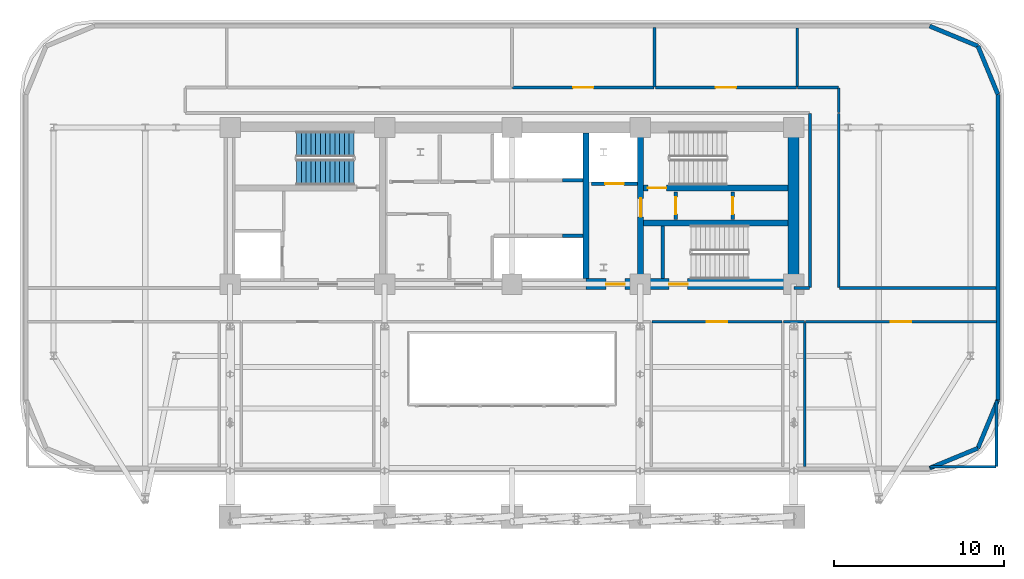
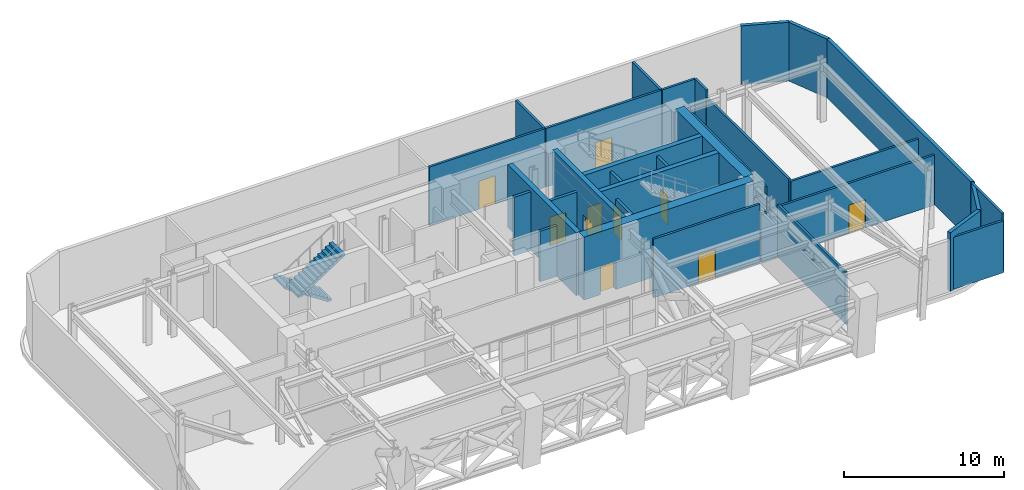
# One storey, part 9 of 13: 33 walls, 11 doors, 2 stair flights, 11 openings, 1 element without a shape of its own.
"""IFC4 building model written with IfcOpenShell, lengths in metres."""

from ifc_helpers import new_model, si_unit, direction, frame, frame_2d, origin, place, context, subcontext, project, spatial, polyline, rectangle, outline, extrude, material, layer, layer_set, type_object, element, fill, aggregate, save


model = new_model("IFC4")

# Units and contexts
model_context = context("Model", 3, precision=1e-05, world=origin(), true_north=direction((0.0, 1.0)))
body_context = subcontext(model_context, "Body", "Model", "MODEL_VIEW")
ifc_project = project(units=[si_unit("LENGTHUNIT", "METRE"), si_unit("AREAUNIT", "SQUARE_METRE"), si_unit("VOLUMEUNIT", "CUBIC_METRE"), si_unit("PLANEANGLEUNIT", "RADIAN"), si_unit("MASSUNIT", "GRAM", prefix="KILO")], contexts=[model_context])

# Site, building, storey
site_placement = place(None, origin())
site = spatial("IfcSite", under=ifc_project, at=site_placement, CompositionType="ELEMENT")
building_placement = place(site_placement, origin())
building = spatial("IfcBuilding", under=site, at=building_placement, Name="Zarnavel Station Tower", CompositionType="ELEMENT")
storey_placement = place(building_placement, frame((0.0, 0.0, 132.89990234375)))
storey = spatial("IfcBuildingStorey", under=building, at=storey_placement, Name="L36", CompositionType="ELEMENT", Elevation=132.89990234375)

# Wall
ifc_material_1 = material(Name="Concrete C50/60", Category="concrete")
ifc_layer_1 = layer(ifc_material_1, 0.35009765625)
ifc_layer_set_1 = layer_set([ifc_layer_1], Name="CW_350")
wall_type_1 = type_object("IfcWallType", Name="CW_350", PredefinedType="SHEAR", material=ifc_layer_set_1)
wall_1_placement = place(storey_placement, frame((33.14990234375, 28.14501953125, 0.0), z_axis=(0.0, 0.0, 1.0), x_axis=(0.0, 1.0, 0.0)))
element("IfcWall", 1, at=wall_1_placement, inside=storey, type_object=wall_type_1, Name="L36 Rear Core Shear Wall DIV-E", PredefinedType="SHEAR", context=body_context, shape_type="SweptSolid", body=[
    extrude(rectangle(XDim=8.580078125, YDim=0.35009765625, at=frame_2d((4.2900390625, 0.0))), origin(), (0.0, 0.0, 1.0), 4.800048828125),
])

# Wall, opening, door
wall_2_placement = place(storey_placement, frame((36.3798828125, 28.14501953125, 0.0), z_axis=(0.0, 0.0, 1.0), x_axis=(0.0, 1.0, 0.0)))
wall_2 = element("IfcWall", 2, at=wall_2_placement, inside=storey, type_object=wall_type_1, Name="L36 Rear Core Shear Wall DIV-S2", PredefinedType="SHEAR", context=body_context, shape_type="SweptSolid", body=[
    extrude(rectangle(XDim=8.580078125, YDim=0.35009765625, at=frame_2d((4.2900390625, 0.0))), origin(), (0.0, 0.0, 1.0), 4.800048828125),
])
opening_1_placement = place(wall_2_placement, frame((3.635009765625, 0.0, 0.0)))
opening_1 = element("IfcOpeningElement", 3, at=opening_1_placement, cuts=wall_2, Name="Opening FD01", PredefinedType="OPENING", context=body_context, shape_type="SweptSolid", body=[
    extrude(rectangle(XDim=1.10009765625, YDim=2.14990234375, at=frame_2d((0.550048828125, 1.074951171875))), frame((0.0, 0.18505859375, 0.0), z_axis=(0.0, -1.0, 0.0), x_axis=(1.0, 0.0, 0.0)), (0.0, 0.0, 1.0), 0.3701171875),
])
ifc_material_2 = material(Name="Painted Galvanised Steel and Hardwood Leaf", Category="steel")
door_type_1 = type_object("IfcDoorType", Name="ID_STAIR_1100", OperationType="NOTDEFINED", PredefinedType="DOOR", material=ifc_material_2)
door_1_placement = place(opening_1_placement, origin())
door_1 = element("IfcDoor", 4, at=door_1_placement, inside=storey, type_object=door_type_1, Name="L36 East Stair Vestibule Fire Door", OperationType="SINGLE_SWING_LEFT", OverallHeight=2.14990234375, OverallWidth=1.10009765625, PredefinedType="DOOR", context=body_context, shape_type="SweptSolid", body=[
    extrude(rectangle(XDim=1.10009765625, YDim=2.14990234375, at=frame_2d((0.550048828125, 1.074951171875))), frame((0.0, 0.02490234375, 0.0), z_axis=(0.0, -1.0, 0.0), x_axis=(1.0, 0.0, 0.0)), (0.0, 0.0, 1.0), 0.050048828125),
])
fill(opening_1, door_1)

wall_3_placement = place(storey_placement, frame((45.054931640625, 33.47998046875, 0.0), z_axis=(0.0, 0.0, 1.0), x_axis=(-1.0, 0.0, 0.0)))
wall_3 = element("IfcWall", 5, at=wall_3_placement, inside=storey, type_object=wall_type_1, Name="L36 Rear Core Shear Wall DIV-H2", PredefinedType="SHEAR", context=body_context, shape_type="SweptSolid", body=[
    extrude(rectangle(XDim=8.5, YDim=0.35009765625, at=frame_2d((4.25, 0.0))), origin(), (0.0, 0.0, 1.0), 4.800048828125),
])
opening_2_placement = place(wall_3_placement, frame((7.155029296875, 0.0, 0.0)))
opening_2 = element("IfcOpeningElement", 6, at=opening_2_placement, cuts=wall_3, Name="Opening FD01", PredefinedType="OPENING", context=body_context, shape_type="SweptSolid", body=[
    extrude(rectangle(XDim=1.10009765625, YDim=2.14990234375, at=frame_2d((0.550048828125, 1.074951171875))), frame((0.0, 0.18505859375, 0.0), z_axis=(0.0, -1.0, 0.0), x_axis=(1.0, 0.0, 0.0)), (0.0, 0.0, 1.0), 0.3701171875),
])
door_2_placement = place(opening_2_placement, origin())
door_2 = element("IfcDoor", 7, at=door_2_placement, inside=storey, type_object=door_type_1, Name="L36 Stair ST2 Lobby Fire Door", OperationType="SINGLE_SWING_RIGHT", OverallHeight=2.14990234375, OverallWidth=1.10009765625, PredefinedType="DOOR", context=body_context, shape_type="SweptSolid", body=[
    extrude(rectangle(XDim=1.10009765625, YDim=2.14990234375, at=frame_2d((0.550048828125, 1.074951171875))), frame((0.0, 0.02490234375, 0.0), z_axis=(0.0, -1.0, 0.0), x_axis=(1.0, 0.0, 0.0)), (0.0, 0.0, 1.0), 0.050048828125),
])
fill(opening_2, door_2)

# Wall
wall_4_placement = place(storey_placement, frame((36.554931640625, 31.419921875, 0.0), z_axis=(0.0, 0.0, 1.0), x_axis=(1.0, 0.0, 0.0)))
element("IfcWall", 8, at=wall_4_placement, inside=storey, type_object=wall_type_1, Name="L36 Rear Core Shear Wall DIV-H3", PredefinedType="SHEAR", context=body_context, shape_type="SweptSolid", body=[
    extrude(rectangle(XDim=8.5, YDim=0.35009765625, at=frame_2d((4.25, 0.0))), origin(), (0.0, 0.0, 1.0), 4.800048828125),
])

# Wall, openings, doors
ifc_material_3 = material(Name="Concrete C60/75", Category="concrete")
ifc_layer_2 = layer(ifc_material_3, 0.64990234375)
ifc_layer_set_2 = layer_set([ifc_layer_2], Name="CW_650")
wall_type_2 = type_object("IfcWallType", Name="CW_650", PredefinedType="SHEAR", material=ifc_layer_set_2)
wall_5_placement = place(storey_placement, frame((45.3798828125, 27.820068359375, 0.0), z_axis=(0.0, 0.0, 1.0), x_axis=(-1.0, 0.0, 0.0)))
wall_5 = element("IfcWall", 9, at=wall_5_placement, inside=storey, type_object=wall_type_2, Name="L36 Rear Core Shear Wall S-E", PredefinedType="SHEAR", context=body_context, shape_type="SweptSolid", body=[
    extrude(rectangle(XDim=12.22998046875, YDim=0.64990234375, at=frame_2d((6.114990234375, 0.0))), origin(), (0.0, 0.0, 1.0), 4.800048828125),
])
opening_3_placement = place(wall_5_placement, frame((9.929931640625, 0.0, 0.0)))
opening_3 = element("IfcOpeningElement", 10, at=opening_3_placement, cuts=wall_5, Name="Opening FD01", PredefinedType="OPENING", context=body_context, shape_type="SweptSolid", body=[
    extrude(rectangle(XDim=1.10009765625, YDim=2.14990234375, at=frame_2d((0.550048828125, 1.074951171875))), frame((0.0, 0.3349609375, 0.0), z_axis=(0.0, -1.0, 0.0), x_axis=(1.0, 0.0, 0.0)), (0.0, 0.0, 1.0), 0.669921875),
])
opening_4_placement = place(wall_5_placement, frame((6.22998046875, 0.0, 0.0)))
opening_4 = element("IfcOpeningElement", 11, at=opening_4_placement, cuts=wall_5, Name="Opening FD01", PredefinedType="OPENING", context=body_context, shape_type="SweptSolid", body=[
    extrude(rectangle(XDim=1.10009765625, YDim=2.14990234375, at=frame_2d((0.550048828125, 1.074951171875))), frame((0.0, 0.3349609375, 0.0), z_axis=(0.0, -1.0, 0.0), x_axis=(1.0, 0.0, 0.0)), (0.0, 0.0, 1.0), 0.669921875),
])
door_3_placement = place(opening_3_placement, origin())
door_3 = element("IfcDoor", 12, at=door_3_placement, inside=storey, type_object=door_type_1, Name="L36 East Firefighting Lobby Door", OperationType="SINGLE_SWING_LEFT", OverallHeight=2.14990234375, OverallWidth=1.10009765625, PredefinedType="DOOR", context=body_context, shape_type="SweptSolid", body=[
    extrude(rectangle(XDim=1.10009765625, YDim=2.14990234375, at=frame_2d((0.550048828125, 1.074951171875))), frame((0.0, 0.02490234375, 0.0), z_axis=(0.0, -1.0, 0.0), x_axis=(1.0, 0.0, 0.0)), (0.0, 0.0, 1.0), 0.050048828125),
])
fill(opening_3, door_3)
door_4_placement = place(opening_4_placement, origin())
door_4 = element("IfcDoor", 13, at=door_4_placement, inside=storey, type_object=door_type_1, Name="L36 Stair ST3 Corridor Fire Door", OperationType="SINGLE_SWING_RIGHT", OverallHeight=2.14990234375, OverallWidth=1.10009765625, PredefinedType="DOOR", context=body_context, shape_type="SweptSolid", body=[
    extrude(rectangle(XDim=1.10009765625, YDim=2.14990234375, at=frame_2d((0.550048828125, 1.074951171875))), frame((0.0, 0.02490234375, 0.0), z_axis=(0.0, -1.0, 0.0), x_axis=(1.0, 0.0, 0.0)), (0.0, 0.0, 1.0), 0.050048828125),
])
fill(opening_4, door_4)

# Walls
wall_6_placement = place(storey_placement, frame((45.3798828125, 28.14501953125, 0.0), z_axis=(0.0, 0.0, 1.0), x_axis=(0.0, 1.0, 0.0)))
element("IfcWall", 14, at=wall_6_placement, inside=storey, type_object=wall_type_2, Name="L36 Rear Core Shear Wall E", PredefinedType="SHEAR", context=body_context, shape_type="SweptSolid", body=[
    extrude(rectangle(XDim=8.580078125, YDim=0.64990234375, at=frame_2d((4.2900390625, 0.0))), origin(), (0.0, 0.0, 1.0), 4.800048828125),
])
ifc_material_4 = material(Name="Precast concrete C45/55 (Basalt Spandrel)", Category="masonry")
ifc_layer_3 = layer(ifc_material_4, 0.25)
ifc_layer_set_3 = layer_set([ifc_layer_3], Name="EW_SPANDREL_250")
wall_type_3 = type_object("IfcWallType", Name="EW_SPANDREL_250", PredefinedType="SOLIDWALL", material=ifc_layer_set_3)
wall_7_placement = place(storey_placement, frame((56.24267578125, 18.157470703125, 0.0), z_axis=(0.0, 0.0, 1.0), x_axis=(-0.923882414032, -0.382676475685, 0.0)))
element("IfcWall", 15, at=wall_7_placement, inside=storey, type_object=wall_type_3, Name="L36 Exterior Basalt Masonry Frame Wall 01", PredefinedType="SOLIDWALL", context=body_context, shape_type="SweptSolid", body=[
    extrude(rectangle(XDim=3.076904296875, YDim=0.25, at=frame_2d((1.53857421875, 0.0))), origin(), (0.0, 0.0, 1.0), 4.47998046875),
])
wall_8_placement = place(storey_placement, frame((57.419921875, 21.0, 0.0), z_axis=(0.0, 0.0, 1.0), x_axis=(-0.382636798336, -0.92389884758, 0.0)))
element("IfcWall", 16, at=wall_8_placement, inside=storey, type_object=wall_type_3, Name="L36 Exterior Basalt Masonry Frame Wall 02", PredefinedType="SOLIDWALL", context=body_context, shape_type="SweptSolid", body=[
    extrude(rectangle(XDim=3.07666015625, YDim=0.25, at=frame_2d((1.538330078125, 0.0))), origin(), (0.0, 0.0, 1.0), 4.47998046875),
])
wall_9_placement = place(storey_placement, frame((57.419921875, 39.0, 0.0), z_axis=(0.0, 0.0, 1.0), x_axis=(0.0, -1.0, 0.0)))
element("IfcWall", 17, at=wall_9_placement, inside=storey, type_object=wall_type_3, Name="L36 Exterior Basalt Masonry Frame Wall 03", PredefinedType="SOLIDWALL", context=body_context, shape_type="SweptSolid", body=[
    extrude(rectangle(XDim=18.0, YDim=0.25, at=frame_2d((9.0, 0.0))), origin(), (0.0, 0.0, 1.0), 4.47998046875),
])
wall_10_placement = place(storey_placement, frame((56.24267578125, 41.842529296875, 0.0), z_axis=(0.0, 0.0, 1.0), x_axis=(0.382636798336, -0.92389884758, 0.0)))
element("IfcWall", 18, at=wall_10_placement, inside=storey, type_object=wall_type_3, Name="L36 Exterior Basalt Masonry Frame Wall 04", PredefinedType="SOLIDWALL", context=body_context, shape_type="SweptSolid", body=[
    extrude(rectangle(XDim=3.07666015625, YDim=0.25, at=frame_2d((1.538330078125, 0.0))), origin(), (0.0, 0.0, 1.0), 4.47998046875),
])
wall_11_placement = place(storey_placement, frame((53.39990234375, 43.02001953125, 0.0), z_axis=(0.0, 0.0, 1.0), x_axis=(0.923882414032, -0.382676475685, 0.0)))
element("IfcWall", 19, at=wall_11_placement, inside=storey, type_object=wall_type_3, Name="L36 Exterior Basalt Masonry Frame Wall 05", PredefinedType="SOLIDWALL", context=body_context, shape_type="SweptSolid", body=[
    extrude(rectangle(XDim=3.076904296875, YDim=0.25, at=frame_2d((1.53857421875, 0.0))), origin(), (0.0, 0.0, 1.0), 4.47998046875),
])

# Wall, opening, door
ifc_material_5 = material(Name="Gypsum Twin-Stud Acoustic Fire Partition", Category="concrete")
ifc_layer_4 = layer(ifc_material_5, 0.159912109375)
ifc_layer_set_4 = layer_set([ifc_layer_4], Name="PT_DEMISE_160")
wall_type_4 = type_object("IfcWallType", Name="PT_DEMISE_160", PredefinedType="PARTITIONING", material=ifc_layer_set_4)
wall_12_placement = place(storey_placement, frame((37.0400390625, 25.60009765625, 0.0), z_axis=(0.0, 0.0, 1.0), x_axis=(1.0, 0.0, 0.0)))
wall_12 = element("IfcWall", 20, at=wall_12_placement, inside=storey, type_object=wall_type_4, Name="L36 Partition PCOR-AHU2", PredefinedType="PARTITIONING", context=body_context, shape_type="SweptSolid", body=[
    extrude(rectangle(XDim=7.669921875, YDim=0.159912109375, at=frame_2d((3.8349609375, 0.0))), origin(), (0.0, 0.0, 1.0), 4.47998046875),
])
opening_5_placement = place(wall_12_placement, frame((3.235107421875, 0.0, 0.0)))
opening_5 = element("IfcOpeningElement", 21, at=opening_5_placement, cuts=wall_12, Name="Opening FD03", PredefinedType="OPENING", context=body_context, shape_type="SweptSolid", body=[
    extrude(rectangle(XDim=1.199951171875, YDim=2.14990234375, at=frame_2d((0.60009765625, 1.074951171875))), frame((0.0, 0.08984375, 0.0), z_axis=(0.0, -1.0, 0.0), x_axis=(1.0, 0.0, 0.0)), (0.0, 0.0, 1.0), 0.179931640625),
])
ifc_material_6 = material(Name="Painted Galvanised Steel and Hardwood Leaf", Category="steel")
door_type_2 = type_object("IfcDoorType", Name="ID_PLANT_1200", OperationType="NOTDEFINED", PredefinedType="DOOR", material=ifc_material_6)
door_5_placement = place(opening_5_placement, origin())
door_5 = element("IfcDoor", 22, at=door_5_placement, inside=storey, type_object=door_type_2, Name="L36 Door PCOR-AHU2", OperationType="SINGLE_SWING_LEFT", OverallHeight=2.14990234375, OverallWidth=1.199951171875, PredefinedType="DOOR", context=body_context, shape_type="SweptSolid", body=[
    extrude(rectangle(XDim=1.199951171875, YDim=2.14990234375, at=frame_2d((0.60009765625, 1.074951171875))), frame((0.0, 0.02490234375, 0.0), z_axis=(0.0, -1.0, 0.0), x_axis=(1.0, 0.0, 0.0)), (0.0, 0.0, 1.0), 0.050048828125),
])
fill(opening_5, door_5)

wall_13_placement = place(storey_placement, frame((46.090087890625, 25.60009765625, 0.0), z_axis=(0.0, 0.0, 1.0), x_axis=(1.0, 0.0, 0.0)))
wall_13 = element("IfcWall", 23, at=wall_13_placement, inside=storey, type_object=wall_type_4, Name="L36 Partition PCOR-PMP", PredefinedType="PARTITIONING", context=body_context, shape_type="SweptSolid", body=[
    extrude(rectangle(XDim=11.25, YDim=0.159912109375, at=frame_2d((5.625, 0.0))), origin(), (0.0, 0.0, 1.0), 3.81005859375),
])
opening_6_placement = place(wall_13_placement, frame((5.02490234375, 0.0, 0.0)))
opening_6 = element("IfcOpeningElement", 24, at=opening_6_placement, cuts=wall_13, Name="Opening FD03", PredefinedType="OPENING", context=body_context, shape_type="SweptSolid", body=[
    extrude(rectangle(XDim=1.199951171875, YDim=2.14990234375, at=frame_2d((0.60009765625, 1.074951171875))), frame((0.0, 0.08984375, 0.0), z_axis=(0.0, -1.0, 0.0), x_axis=(1.0, 0.0, 0.0)), (0.0, 0.0, 1.0), 0.179931640625),
])
door_6_placement = place(opening_6_placement, origin())
door_6 = element("IfcDoor", 25, at=door_6_placement, inside=storey, type_object=door_type_2, Name="L36 Door PCOR-PMP", OperationType="SINGLE_SWING_RIGHT", OverallHeight=2.14990234375, OverallWidth=1.199951171875, PredefinedType="DOOR", context=body_context, shape_type="SweptSolid", body=[
    extrude(rectangle(XDim=1.199951171875, YDim=2.14990234375, at=frame_2d((0.60009765625, 1.074951171875))), frame((0.0, 0.02490234375, 0.0), z_axis=(0.0, -1.0, 0.0), x_axis=(1.0, 0.0, 0.0)), (0.0, 0.0, 1.0), 0.050048828125),
])
fill(opening_6, door_6)

wall_14_placement = place(storey_placement, frame((28.840087890625, 39.39990234375, 0.0), z_axis=(0.0, 0.0, 1.0), x_axis=(1.0, 0.0, 0.0)))
wall_14 = element("IfcWall", 26, at=wall_14_placement, inside=storey, type_object=wall_type_4, Name="L36 Partition PCOR-N-SUB1", PredefinedType="PARTITIONING", context=body_context, shape_type="SweptSolid", body=[
    extrude(rectangle(XDim=8.31982421875, YDim=0.159912109375, at=frame_2d((4.159912109375, 0.0))), origin(), (0.0, 0.0, 1.0), 4.47998046875),
])
opening_7_placement = place(wall_14_placement, frame((3.56005859375, 0.0, 0.0)))
opening_7 = element("IfcOpeningElement", 27, at=opening_7_placement, cuts=wall_14, Name="Opening FD03", PredefinedType="OPENING", context=body_context, shape_type="SweptSolid", body=[
    extrude(rectangle(XDim=1.199951171875, YDim=2.14990234375, at=frame_2d((0.60009765625, 1.074951171875))), frame((0.0, 0.08984375, 0.0), z_axis=(0.0, -1.0, 0.0), x_axis=(1.0, 0.0, 0.0)), (0.0, 0.0, 1.0), 0.179931640625),
])
door_7_placement = place(opening_7_placement, origin())
door_7 = element("IfcDoor", 28, at=door_7_placement, inside=storey, type_object=door_type_2, Name="L36 Door PCOR-N-SUB1", OperationType="SINGLE_SWING_RIGHT", OverallHeight=2.14990234375, OverallWidth=1.199951171875, PredefinedType="DOOR", context=body_context, shape_type="SweptSolid", body=[
    extrude(rectangle(XDim=1.199951171875, YDim=2.14990234375, at=frame_2d((0.60009765625, 1.074951171875))), frame((0.0, 0.02490234375, 0.0), z_axis=(0.0, -1.0, 0.0), x_axis=(1.0, 0.0, 0.0)), (0.0, 0.0, 1.0), 0.050048828125),
])
fill(opening_7, door_7)

wall_15_placement = place(storey_placement, frame((37.239990234375, 39.39990234375, 0.0), z_axis=(0.0, 0.0, 1.0), x_axis=(1.0, 0.0, 0.0)))
wall_15 = element("IfcWall", 29, at=wall_15_placement, inside=storey, type_object=wall_type_4, Name="L36 Partition PCOR-N-SUB2", PredefinedType="PARTITIONING", context=body_context, shape_type="SweptSolid", body=[
    extrude(rectangle(XDim=8.320068359375, YDim=0.159912109375, at=frame_2d((4.16015625, 0.0))), origin(), (0.0, 0.0, 1.0), 4.47998046875),
])
opening_8_placement = place(wall_15_placement, frame((3.56005859375, 0.0, 0.0)))
opening_8 = element("IfcOpeningElement", 30, at=opening_8_placement, cuts=wall_15, Name="Opening FD03", PredefinedType="OPENING", context=body_context, shape_type="SweptSolid", body=[
    extrude(rectangle(XDim=1.199951171875, YDim=2.14990234375, at=frame_2d((0.60009765625, 1.074951171875))), frame((0.0, 0.08984375, 0.0), z_axis=(0.0, -1.0, 0.0), x_axis=(1.0, 0.0, 0.0)), (0.0, 0.0, 1.0), 0.179931640625),
])
door_8_placement = place(opening_8_placement, origin())
door_8 = element("IfcDoor", 31, at=door_8_placement, inside=storey, type_object=door_type_2, Name="L36 Door PCOR-N-SUB2", OperationType="SINGLE_SWING_LEFT", OverallHeight=2.14990234375, OverallWidth=1.199951171875, PredefinedType="DOOR", context=body_context, shape_type="SweptSolid", body=[
    extrude(rectangle(XDim=1.199951171875, YDim=2.14990234375, at=frame_2d((0.60009765625, 1.074951171875))), frame((0.0, 0.02490234375, 0.0), z_axis=(0.0, -1.0, 0.0), x_axis=(1.0, 0.0, 0.0)), (0.0, 0.0, 1.0), 0.050048828125),
])
fill(opening_8, door_8)

# Walls
wall_16_placement = place(storey_placement, frame((37.199951171875, 39.43994140625, 0.0), z_axis=(0.0, 0.0, 1.0), x_axis=(0.0, 1.0, 0.0)))
element("IfcWall", 32, at=wall_16_placement, inside=storey, type_object=wall_type_4, Name="L36 Partition SUB1-SUB2", PredefinedType="PARTITIONING", context=body_context, shape_type="SweptSolid", body=[
    extrude(rectangle(XDim=3.5, YDim=0.159912109375, at=frame_2d((1.75, 0.0))), origin(), (0.0, 0.0, 1.0), 4.47998046875),
])
wall_17_placement = place(storey_placement, frame((44.780029296875, 25.60009765625, 0.0), z_axis=(0.0, 0.0, 1.0), x_axis=(1.0, 0.0, 0.0)))
element("IfcWall", 33, at=wall_17_placement, inside=storey, type_object=wall_type_4, Name="L36 Enclosure Wall PCOR", PredefinedType="PARTITIONING", context=body_context, shape_type="SweptSolid", body=[
    extrude(rectangle(XDim=1.239990234375, YDim=0.159912109375, at=frame_2d((0.6201171875, 0.0))), origin(), (0.0, 0.0, 1.0), 3.64599609375),
])
wall_18_placement = place(storey_placement, frame((45.409912109375, 27.60009765625, 0.0), z_axis=(0.0, 0.0, 1.0), x_axis=(1.0, 0.0, 0.0)))
element("IfcWall", 34, at=wall_18_placement, inside=storey, type_object=wall_type_4, Name="L36 Enclosure Wall PCOR", PredefinedType="PARTITIONING", context=body_context, shape_type="SweptSolid", body=[
    extrude(rectangle(XDim=0.91015625, YDim=0.159912109375, at=frame_2d((0.455078125, 0.0))), origin(), (0.0, 0.0, 1.0), 3.4521484375),
])
wall_19_placement = place(storey_placement, frame((48.080078125, 27.60009765625, 0.0), z_axis=(0.0, 0.0, 1.0), x_axis=(1.0, 0.0, 0.0)))
element("IfcWall", 35, at=wall_19_placement, inside=storey, type_object=wall_type_4, Name="L36 Enclosure Wall PCOR", PredefinedType="PARTITIONING", context=body_context, shape_type="SweptSolid", body=[
    extrude(rectangle(XDim=9.22998046875, YDim=0.159912109375, at=frame_2d((4.614990234375, 0.0))), origin(), (0.0, 0.0, 1.0), 3.81005859375),
])
for number, where, z_axis, x_axis, name in (
    (36, (46.35009765625, 27.6298828125, 0.0), (0.0, 0.0, 1.0), (0.0, 1.0, 0.0), "L36 Enclosure Wall PCOR-E"),
    (37, (48.050048828125, 27.6298828125, 0.0), (0.0, 0.0, 1.0), (0.0, 1.0, 0.0), "L36 Enclosure Wall PCOR-E"),
):
    element("IfcWall", number, at=place(storey_placement, frame(where, z_axis=z_axis, x_axis=x_axis)), inside=storey, type_object=wall_type_4, Name=name, PredefinedType="PARTITIONING", context=body_context, shape_type="SweptSolid", body=[
        extrude(rectangle(XDim=10.240234375, YDim=0.159912109375, at=frame_2d((5.1201171875, 0.0))), origin(), (0.0, 0.0, 1.0), 3.960205078125),
    ])
wall_20_placement = place(storey_placement, frame((45.6298828125, 39.39990234375, 0.0), z_axis=(0.0, 0.0, 1.0), x_axis=(1.0, 0.0, 0.0)))
element("IfcWall", 38, at=wall_20_placement, inside=storey, type_object=wall_type_4, Name="L36 Enclosure Wall PCOR-N", PredefinedType="PARTITIONING", context=body_context, shape_type="SweptSolid", body=[
    extrude(rectangle(XDim=2.39013671875, YDim=0.159912109375, at=frame_2d((1.195068359375, 0.0))), origin(), (0.0, 0.0, 1.0), 4.47998046875),
])
wall_21_placement = place(storey_placement, frame((48.050048828125, 37.929931640625, 0.0), z_axis=(0.0, 0.0, 1.0), x_axis=(0.0, 1.0, 0.0)))
element("IfcWall", 39, at=wall_21_placement, inside=storey, type_object=wall_type_4, Name="L36 Enclosure Wall PCOR-N", PredefinedType="PARTITIONING", context=body_context, shape_type="SweptSolid", body=[
    extrude(rectangle(XDim=1.440185546875, YDim=0.159912109375, at=frame_2d((0.72021484375, 0.0))), origin(), (0.0, 0.0, 1.0), 4.47998046875),
])
wall_22_placement = place(storey_placement, frame((53.429931640625, 17.06005859375, 0.0), z_axis=(0.0, 0.0, 1.0), x_axis=(1.0, 0.0, 0.0)))
element("IfcWall", 40, at=wall_22_placement, inside=storey, type_object=wall_type_4, Name="L36 Enclosure Wall PMP", PredefinedType="PARTITIONING", context=body_context, shape_type="SweptSolid", body=[
    extrude(rectangle(XDim=3.880126953125, YDim=0.159912109375, at=frame_2d((1.93994140625, 0.0))), origin(), (0.0, 0.0, 1.0), 3.960205078125),
])
wall_23_placement = place(storey_placement, frame((46.050048828125, 17.090087890625, 0.0), z_axis=(0.0, 0.0, 1.0), x_axis=(0.0, 1.0, 0.0)))
element("IfcWall", 41, at=wall_23_placement, inside=storey, type_object=wall_type_4, Name="L36 Enclosure Wall PMP", PredefinedType="PARTITIONING", context=body_context, shape_type="SweptSolid", body=[
    extrude(rectangle(XDim=8.47998046875, YDim=0.159912109375, at=frame_2d((4.239990234375, 0.0))), origin(), (0.0, 0.0, 1.0), 3.960205078125),
])
wall_24_placement = place(storey_placement, frame((57.340087890625, 17.090087890625, 0.0), z_axis=(0.0, 0.0, 1.0), x_axis=(0.0, 1.0, 0.0)))
element("IfcWall", 42, at=wall_24_placement, inside=storey, type_object=wall_type_4, Name="L36 Enclosure Wall PMP", PredefinedType="PARTITIONING", context=body_context, shape_type="SweptSolid", body=[
    extrude(rectangle(XDim=3.8798828125, YDim=0.159912109375, at=frame_2d((1.93994140625, 0.0))), origin(), (0.0, 0.0, 1.0), 4.47998046875),
])
wall_25_placement = place(storey_placement, frame((45.60009765625, 39.429931640625, 0.0), z_axis=(0.0, 0.0, 1.0), x_axis=(0.0, 1.0, 0.0)))
element("IfcWall", 43, at=wall_25_placement, inside=storey, type_object=wall_type_4, Name="L36 Enclosure Wall SUB2", PredefinedType="PARTITIONING", context=body_context, shape_type="SweptSolid", body=[
    extrude(rectangle(XDim=3.47998046875, YDim=0.159912109375, at=frame_2d((1.739990234375, 0.0))), origin(), (0.0, 0.0, 1.0), 4.47998046875),
])

# Wall, opening, door
ifc_material_7 = material(Name="Precast concrete C45/55 (Fire Shaft Blockwork)", Category="masonry")
ifc_layer_5 = layer(ifc_material_7, 0.199951171875)
ifc_layer_set_5 = layer_set([ifc_layer_5], Name="PT_SHAFT_200")
wall_type_5 = type_object("IfcWallType", Name="PT_SHAFT_200", PredefinedType="PARTITIONING", material=ifc_layer_set_5)
wall_26_placement = place(storey_placement, frame((33.47509765625, 33.72998046875, 0.0), z_axis=(0.0, 0.0, 1.0), x_axis=(1.0, 0.0, 0.0)))
wall_26 = element("IfcWall", 44, at=wall_26_placement, inside=storey, type_object=wall_type_5, Name="L36 Lift FFL-02 Shaft Front Wall", PredefinedType="PARTITIONING", context=body_context, shape_type="SweptSolid", body=[
    extrude(rectangle(XDim=2.724853515625, YDim=0.199951171875, at=frame_2d((1.3623046875, 0.0))), origin(), (0.0, 0.0, 1.0), 3.4521484375),
])
opening_9_placement = place(wall_26_placement, frame((0.8125, 0.0, 0.0)))
opening_9 = element("IfcOpeningElement", 45, at=opening_9_placement, cuts=wall_26, Name="Opening LD01", PredefinedType="OPENING", context=body_context, shape_type="SweptSolid", body=[
    extrude(rectangle(XDim=1.10009765625, YDim=2.14990234375, at=frame_2d((0.550048828125, 1.074951171875))), frame((0.0, 0.10986328125, 0.0), z_axis=(0.0, -1.0, 0.0), x_axis=(1.0, 0.0, 0.0)), (0.0, 0.0, 1.0), 0.219970703125),
])
ifc_material_8 = material(Name="Painted Galvanised Steel and Hardwood Leaf", Category="steel")
door_type_3 = type_object("IfcDoorType", Name="LD_FF_1100", OperationType="DOUBLE_DOOR_SLIDING", PredefinedType="DOOR", material=ifc_material_8)
door_9_placement = place(opening_9_placement, origin())
door_9 = element("IfcDoor", 46, at=door_9_placement, inside=storey, type_object=door_type_3, Name="L36 Lift FFL-02 Sliding Landing Door", OperationType="DOUBLE_DOOR_SLIDING", OverallHeight=2.14990234375, OverallWidth=1.10009765625, PredefinedType="DOOR", context=body_context, shape_type="SweptSolid", body=[
    extrude(rectangle(XDim=1.10009765625, YDim=2.14990234375, at=frame_2d((0.550048828125, 1.074951171875))), frame((0.0, 0.02490234375, 0.0), z_axis=(0.0, -1.0, 0.0), x_axis=(1.0, 0.0, 0.0)), (0.0, 0.0, 1.0), 0.050048828125),
])
fill(opening_9, door_9)

# Walls
wall_27_placement = place(storey_placement, frame((31.77490234375, 30.669921875, 0.0), z_axis=(0.0, 0.0, 1.0), x_axis=(1.0, 0.0, 0.0)))
element("IfcWall", 47, at=wall_27_placement, inside=storey, type_object=wall_type_5, Name="L36 Lift PL-H3 Shaft Front Wall", PredefinedType="PARTITIONING", context=body_context, shape_type="SweptSolid", body=[
    extrude(rectangle(XDim=1.2001953125, YDim=0.199951171875, at=frame_2d((0.60009765625, 0.0))), origin(), (0.0, 0.0, 1.0), 3.860107421875),
])
wall_28_placement = place(storey_placement, frame((31.77490234375, 33.929931640625, 0.0), z_axis=(0.0, 0.0, 1.0), x_axis=(1.0, 0.0, 0.0)))
element("IfcWall", 48, at=wall_28_placement, inside=storey, type_object=wall_type_5, Name="L36 Lift PL-M3 Shaft Front Wall", PredefinedType="PARTITIONING", context=body_context, shape_type="SweptSolid", body=[
    extrude(rectangle(XDim=1.2001953125, YDim=0.199951171875, at=frame_2d((0.60009765625, 0.0))), origin(), (0.0, 0.0, 1.0), 4.47998046875),
])
wall_29_placement = place(storey_placement, frame((37.679931640625, 28.14501953125, 0.0), z_axis=(0.0, 0.0, 1.0), x_axis=(0.0, 1.0, 0.0)))
element("IfcWall", 49, at=wall_29_placement, inside=storey, type_object=wall_type_5, Name="L36 Stair ST3 West Shaft Wall", PredefinedType="PARTITIONING", context=body_context, shape_type="SweptSolid", body=[
    extrude(rectangle(XDim=3.10498046875, YDim=0.199951171875, at=frame_2d((1.552490234375, 0.0))), origin(), (0.0, 0.0, 1.0), 3.860107421875),
])

# Wall, opening, door
wall_30_placement = place(storey_placement, frame((38.449951171875, 31.639892578125, 0.0), z_axis=(0.0, 0.0, 1.0), x_axis=(0.0, 1.0, 0.0)))
wall_30 = element("IfcWall", 50, at=wall_30_placement, inside=storey, type_object=wall_type_5, Name="L36 Partition ESTV-CEA", PredefinedType="PARTITIONING", context=body_context, shape_type="SweptSolid", body=[
    extrude(rectangle(XDim=1.6201171875, YDim=0.199951171875, at=frame_2d((0.81005859375, 0.0))), origin(), (0.0, 0.0, 1.0), 4.47998046875),
])
opening_10_placement = place(wall_30_placement, frame((0.31005859375, 0.0, 0.0)))
opening_10 = element("IfcOpeningElement", 51, at=opening_10_placement, cuts=wall_30, Name="Opening FD02", PredefinedType="OPENING", context=body_context, shape_type="SweptSolid", body=[
    extrude(rectangle(XDim=1.0, YDim=2.14990234375, at=frame_2d((0.5, 1.074951171875))), frame((0.0, 0.10986328125, 0.0), z_axis=(0.0, -1.0, 0.0), x_axis=(1.0, 0.0, 0.0)), (0.0, 0.0, 1.0), 0.219970703125),
])
ifc_material_9 = material(Name="Painted Galvanised Steel and Hardwood Leaf", Category="steel")
door_type_4 = type_object("IfcDoorType", Name="ID_ENTRY_1000", OperationType="NOTDEFINED", PredefinedType="DOOR", material=ifc_material_9)
door_10_placement = place(opening_10_placement, origin())
door_10 = element("IfcDoor", 52, at=door_10_placement, inside=storey, type_object=door_type_4, Name="L36 Door ESTV-CEA", OperationType="SINGLE_SWING_LEFT", OverallHeight=2.14990234375, OverallWidth=1.0, PredefinedType="DOOR", context=body_context, shape_type="SweptSolid", body=[
    extrude(rectangle(XDim=1.0, YDim=2.14990234375, at=frame_2d((0.5, 1.074951171875))), frame((0.0, 0.02490234375, 0.0), z_axis=(0.0, -1.0, 0.0), x_axis=(1.0, 0.0, 0.0)), (0.0, 0.0, 1.0), 0.050048828125),
])
fill(opening_10, door_10)

wall_31_placement = place(storey_placement, frame((41.800048828125, 31.639892578125, 0.0), z_axis=(0.0, 0.0, 1.0), x_axis=(0.0, 1.0, 0.0)))
wall_31 = element("IfcWall", 53, at=wall_31_placement, inside=storey, type_object=wall_type_5, Name="L36 Partition CEA-CEB", PredefinedType="PARTITIONING", context=body_context, shape_type="SweptSolid", body=[
    extrude(rectangle(XDim=1.6201171875, YDim=0.199951171875, at=frame_2d((0.81005859375, 0.0))), origin(), (0.0, 0.0, 1.0), 4.47998046875),
])
opening_11_placement = place(wall_31_placement, frame((0.31005859375, 0.0, 0.0)))
opening_11 = element("IfcOpeningElement", 54, at=opening_11_placement, cuts=wall_31, Name="Opening FD02", PredefinedType="OPENING", context=body_context, shape_type="SweptSolid", body=[
    extrude(rectangle(XDim=1.0, YDim=2.14990234375, at=frame_2d((0.5, 1.074951171875))), frame((0.0, 0.10986328125, 0.0), z_axis=(0.0, -1.0, 0.0), x_axis=(1.0, 0.0, 0.0)), (0.0, 0.0, 1.0), 0.219970703125),
])
door_11_placement = place(opening_11_placement, origin())
door_11 = element("IfcDoor", 55, at=door_11_placement, inside=storey, type_object=door_type_4, Name="L36 Door CEA-CEB", OperationType="SINGLE_SWING_RIGHT", OverallHeight=2.14990234375, OverallWidth=1.0, PredefinedType="DOOR", context=body_context, shape_type="SweptSolid", body=[
    extrude(rectangle(XDim=1.0, YDim=2.14990234375, at=frame_2d((0.5, 1.074951171875))), frame((0.0, 0.02490234375, 0.0), z_axis=(0.0, -1.0, 0.0), x_axis=(1.0, 0.0, 0.0)), (0.0, 0.0, 1.0), 0.050048828125),
])
fill(opening_11, door_11)

# Stair, stair flights
ifc_material_10 = material(Name="Concrete C45/55", Category="concrete")
stair_type = type_object("IfcStairType", Name="ST_CORE_150", PredefinedType="HALF_TURN_STAIR", material=ifc_material_10)
stair_placement = place(storey_placement, origin())
stair = element("IfcStair", 56, at=stair_placement, inside=storey, type_object=stair_type, Name="L36 Core Exit Stair ST1", PredefinedType="HALF_TURN_STAIR")
ifc_material_11 = material(Name="Concrete C45/55", Category="concrete")
ifc_layer_6 = layer(ifc_material_11, 0.179931640625)
ifc_layer_set_6 = layer_set([ifc_layer_6], Name="ST_CORE_150_FLT")
stair_flight_type = type_object("IfcStairFlightType", Name="ST_CORE_150_FLT", PredefinedType="STRAIGHT", material=ifc_layer_set_6)
stair_flight_1_placement = place(storey_placement, frame((19.47998046875, 36.070068359375, 0.0), z_axis=(0.0, 0.0, 1.0), x_axis=(-1.0, 0.0, 0.0)))
stair_flight_1 = element("IfcStairFlight", 57, at=stair_flight_1_placement, type_object=stair_flight_type, Name="ST1 flight 1", NumberOfRisers=13, NumberOfTreads=12, PredefinedType="STRAIGHT", RiserHeight=0.184615385, TreadLength=0.28, context=body_context, shape_type="SweptSolid", body=[
    extrude(outline(polyline([(0.0, 0.0), (0.0, 0.1845703125), (0.280029296875, 0.1845703125), (0.280029296875, 0.369140625), (0.56005859375, 0.369140625), (0.56005859375, 0.553955078125), (0.840087890625, 0.553955078125), (0.840087890625, 0.738525390625), (1.1201171875, 0.738525390625), (1.1201171875, 0.923095703125), (1.39990234375, 0.923095703125), (1.39990234375, 1.107666015625), (1.679931640625, 1.107666015625), (1.679931640625, 1.292236328125), (1.9599609375, 1.292236328125), (1.9599609375, 1.476806640625), (2.239990234375, 1.476806640625), (2.239990234375, 1.66162109375), (2.52001953125, 1.66162109375), (2.52001953125, 1.84619140625), (2.800048828125, 1.84619140625), (2.800048828125, 2.03076171875), (3.080078125, 2.03076171875), (3.080078125, 2.21533203125), (3.360107421875, 2.21533203125), (3.360107421875, 2.39990234375), (3.360107421875, 2.035888671875), (0.272216796875, 0.0), (0.0, 0.0)])), frame((0.0, 0.75, 0.0), z_axis=(0.0, -1.0, 0.0), x_axis=(1.0, 0.0, 0.0)), (0.0, 0.0, 1.0), 1.5),
])
stair_flight_2_placement = place(storey_placement, frame((16.1201171875, 34.409912109375, 2.400146484375), z_axis=(0.0, 0.0, 1.0), x_axis=(1.0, 0.0, 0.0)))
stair_flight_2 = element("IfcStairFlight", 58, at=stair_flight_2_placement, type_object=stair_flight_type, Name="ST1 flight 2", NumberOfRisers=13, NumberOfTreads=12, PredefinedType="STRAIGHT", RiserHeight=0.184615385, TreadLength=0.28, context=body_context, shape_type="SweptSolid", body=[
    extrude(outline(polyline([(0.0, 0.0), (0.0, 0.1845703125), (0.280029296875, 0.1845703125), (0.280029296875, 0.369140625), (0.56005859375, 0.369140625), (0.56005859375, 0.553955078125), (0.840087890625, 0.553955078125), (0.840087890625, 0.738525390625), (1.1201171875, 0.738525390625), (1.1201171875, 0.923095703125), (1.39990234375, 0.923095703125), (1.39990234375, 1.107666015625), (1.679931640625, 1.107666015625), (1.679931640625, 1.292236328125), (1.9599609375, 1.292236328125), (1.9599609375, 1.476806640625), (2.239990234375, 1.476806640625), (2.239990234375, 1.66162109375), (2.52001953125, 1.66162109375), (2.52001953125, 1.84619140625), (2.800048828125, 1.84619140625), (2.800048828125, 2.03076171875), (3.080078125, 2.03076171875), (3.080078125, 2.21533203125), (3.360107421875, 2.21533203125), (3.360107421875, 2.39990234375), (3.360107421875, 2.035888671875), (0.272216796875, 0.0), (0.0, 0.0)])), frame((0.0, 0.75, 0.0), z_axis=(0.0, -1.0, 0.0), x_axis=(1.0, 0.0, 0.0)), (0.0, 0.0, 1.0), 1.5),
])
aggregate(stair, [stair_flight_1, stair_flight_2])

save(model, "model.ifc")
